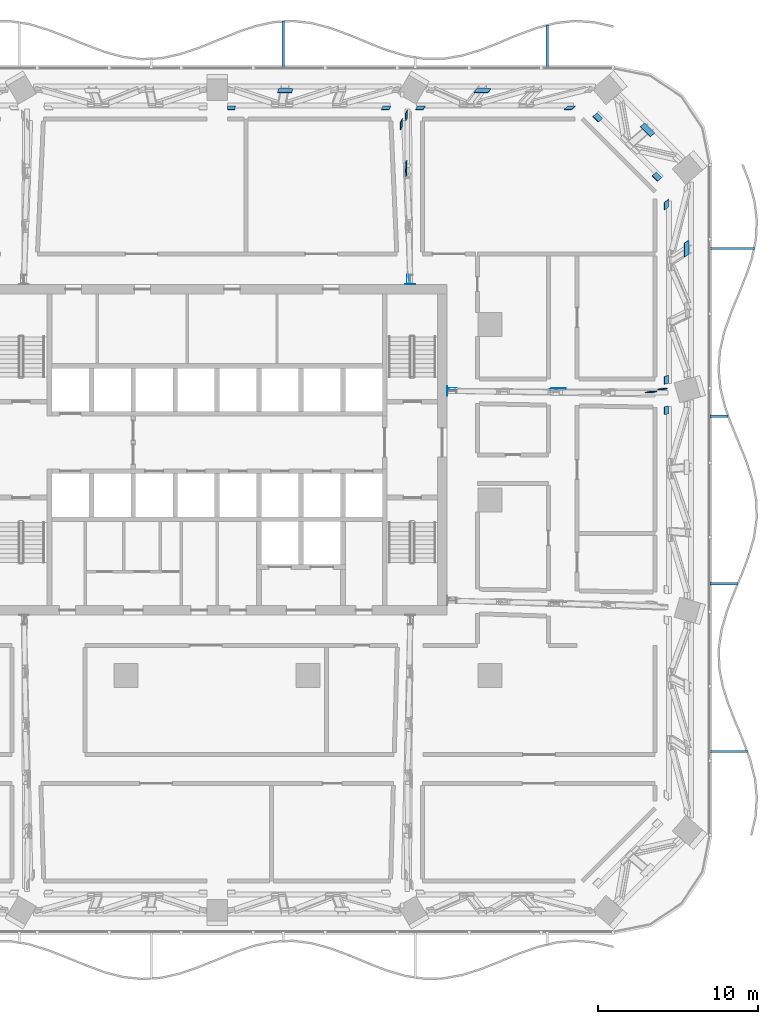
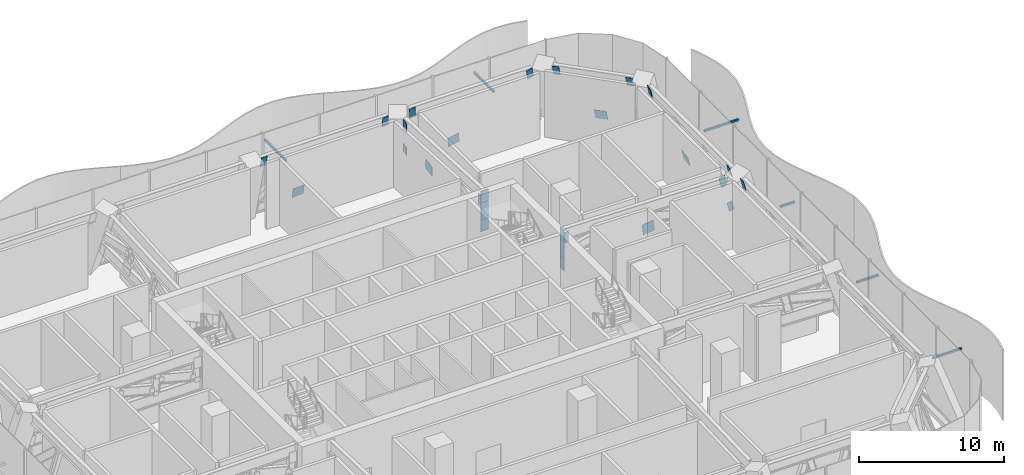
# One storey, part 18 of 32: 33 discrete accessories.
"""IFC4 building model written with IfcOpenShell, lengths in metres."""

from ifc_helpers import new_model, si_unit, direction, frame, origin, origin_2d, place, context, subcontext, project, spatial, rectangle, extrude, material, layer, layer_set, type_object, element, save


model = new_model("IFC4")

# Units and contexts
model_context = context("Model", 3, precision=1e-05, world=origin(), true_north=direction((0.0, 1.0)))
body_context = subcontext(model_context, "Body", "Model", "MODEL_VIEW")
ifc_project = project(units=[si_unit("LENGTHUNIT", "METRE"), si_unit("AREAUNIT", "SQUARE_METRE"), si_unit("VOLUMEUNIT", "CUBIC_METRE"), si_unit("PLANEANGLEUNIT", "RADIAN"), si_unit("MASSUNIT", "GRAM", prefix="KILO")], contexts=[model_context])

# Site, building, storey
site_placement = place(None, origin())
site = spatial("IfcSite", under=ifc_project, at=site_placement, CompositionType="ELEMENT")
building_placement = place(site_placement, origin())
building = spatial("IfcBuilding", under=site, at=building_placement, Name="Mopane Tessera Tower", CompositionType="ELEMENT")
storey_placement = place(building_placement, frame((0.0, 0.0, 88.60009765625)))
storey = spatial("IfcBuildingStorey", under=building, at=storey_placement, Name="L17", CompositionType="ELEMENT", Elevation=88.60009765625)

# Discrete accessories
ifc_material_1 = material(Name="Structural steel S460", Category="steel")
ifc_layer_1 = layer(ifc_material_1, 0.014892578125)
ifc_layer_set_1 = layer_set([ifc_layer_1], Name="Structural steel S460")
discrete_accessory_type_1 = type_object("IfcDiscreteAccessoryType", Name="Cast-in anchor plate 15 mm", PredefinedType="ANCHORPLATE", material=ifc_layer_set_1)
discrete_accessory_1_placement = place(storey_placement, frame((14.407470703125, 6.824951171875, 2.099853515625), z_axis=(0.0, 0.0, 1.0), x_axis=(1.0, 0.0, 0.0)))
element("IfcDiscreteAccessory", 1, at=discrete_accessory_1_placement, inside=storey, type_object=discrete_accessory_type_1, Name="Cast-in anchor plate s ot L17 E2 b", PredefinedType="ANCHORPLATE", context=body_context, shape_type="SweptSolid", body=[
    extrude(rectangle(XDim=0.014892578125, YDim=0.60205078125, at=origin_2d()), origin(), (0.0, 0.0, 1.0), 1.008056640625),
])
discrete_accessory_2_placement = place(storey_placement, frame((14.407470703125, 6.82470703125, 4.5419921875), z_axis=(0.0, 0.0, 1.0), x_axis=(1.0, 0.0, 0.0)))
element("IfcDiscreteAccessory", 2, at=discrete_accessory_2_placement, inside=storey, type_object=discrete_accessory_type_1, Name="Cast-in anchor plate s ot L17 E2 t", PredefinedType="ANCHORPLATE", context=body_context, shape_type="SweptSolid", body=[
    extrude(rectangle(XDim=0.014892578125, YDim=0.60205078125, at=origin_2d()), origin(), (0.0, 0.0, 1.0), 1.0078125),
])
discrete_accessory_3_placement = place(storey_placement, frame((14.407470703125, 6.824951171875, 3.10791015625), z_axis=(0.0, 0.0, 1.0), x_axis=(1.0, 0.0, 0.0)))
element("IfcDiscreteAccessory", 3, at=discrete_accessory_3_placement, inside=storey, type_object=discrete_accessory_type_1, Name="Cast-in anchor plate s ot L17 E2 p", PredefinedType="ANCHORPLATE", context=body_context, shape_type="SweptSolid", body=[
    extrude(rectangle(XDim=0.014892578125, YDim=0.60205078125, at=origin_2d()), origin(), (0.0, 0.0, 1.0), 1.43408203125),
])
discrete_accessory_4_placement = place(storey_placement, frame((12.093505859375, 13.507568359375, 2.099853515625), z_axis=(0.0, 0.0, 1.0), x_axis=(0.0, 1.0, 0.0)))
element("IfcDiscreteAccessory", 4, at=discrete_accessory_4_placement, inside=storey, type_object=discrete_accessory_type_1, Name="Cast-in anchor plate s ot L17 N1 b", PredefinedType="ANCHORPLATE", context=body_context, shape_type="SweptSolid", body=[
    extrude(rectangle(XDim=0.014892578125, YDim=0.60205078125, at=origin_2d()), origin(), (0.0, 0.0, 1.0), 1.008056640625),
])
discrete_accessory_5_placement = place(storey_placement, frame((12.093017578125, 13.507568359375, 4.5419921875), z_axis=(0.0, 0.0, 1.0), x_axis=(0.0, 1.0, 0.0)))
element("IfcDiscreteAccessory", 5, at=discrete_accessory_5_placement, inside=storey, type_object=discrete_accessory_type_1, Name="Cast-in anchor plate s ot L17 N1 t", PredefinedType="ANCHORPLATE", context=body_context, shape_type="SweptSolid", body=[
    extrude(rectangle(XDim=0.014892578125, YDim=0.60205078125, at=origin_2d()), origin(), (0.0, 0.0, 1.0), 1.0078125),
])
discrete_accessory_6_placement = place(storey_placement, frame((12.09326171875, 13.507568359375, 3.10791015625), z_axis=(0.0, 0.0, 1.0), x_axis=(0.0, 1.0, 0.0)))
element("IfcDiscreteAccessory", 6, at=discrete_accessory_6_placement, inside=storey, type_object=discrete_accessory_type_1, Name="Cast-in anchor plate s ot L17 N1 p", PredefinedType="ANCHORPLATE", context=body_context, shape_type="SweptSolid", body=[
    extrude(rectangle(XDim=0.014892578125, YDim=0.60205078125, at=origin_2d()), origin(), (0.0, 0.0, 1.0), 1.43408203125),
])
ifc_material_2 = material(Name="Stainless steel S316", Category="steel")
discrete_accessory_type_2 = type_object("IfcDiscreteAccessoryType", Name="Louvre bracket 150 x 150", PredefinedType="BRACKET", material=ifc_material_2)
discrete_accessory_7_placement = place(storey_placement, frame((32.030029296875, -15.75, 2.489990234375), z_axis=(0.0, 0.0, 1.0), x_axis=(1.0, 0.0, 0.0)))
element("IfcDiscreteAccessory", 7, at=discrete_accessory_7_placement, inside=storey, type_object=discrete_accessory_type_2, Name="e:lv:L17:E:0:br0", PredefinedType="BRACKET", context=body_context, shape_type="SweptSolid", body=[
    extrude(rectangle(XDim=2.340087890625, YDim=0.14990234375, at=origin_2d()), origin(), (0.0, 0.0, 1.0), 0.14990234375),
])
discrete_accessory_8_placement = place(storey_placement, frame((31.72998046875, -5.25, 2.489990234375), z_axis=(0.0, 0.0, 1.0), x_axis=(1.0, 0.0, 0.0)))
element("IfcDiscreteAccessory", 8, at=discrete_accessory_8_placement, inside=storey, type_object=discrete_accessory_type_2, Name="e:lv:L17:E:0:br1", PredefinedType="BRACKET", context=body_context, shape_type="SweptSolid", body=[
    extrude(rectangle(XDim=1.739990234375, YDim=0.14990234375, at=origin_2d()), origin(), (0.0, 0.0, 1.0), 0.14990234375),
])
discrete_accessory_9_placement = place(storey_placement, frame((31.429931640625, 5.25, 2.489990234375), z_axis=(0.0, 0.0, 1.0), x_axis=(1.0, 0.0, 0.0)))
element("IfcDiscreteAccessory", 9, at=discrete_accessory_9_placement, inside=storey, type_object=discrete_accessory_type_2, Name="e:lv:L17:E:1:br0", PredefinedType="BRACKET", context=body_context, shape_type="SweptSolid", body=[
    extrude(rectangle(XDim=1.139892578125, YDim=0.14990234375, at=origin_2d()), origin(), (0.0, 0.0, 1.0), 0.14990234375),
])
discrete_accessory_10_placement = place(storey_placement, frame((32.24951171875, 15.75, 2.489990234375), z_axis=(0.0, 0.0, 1.0), x_axis=(1.0, 0.0, 0.0)))
element("IfcDiscreteAccessory", 10, at=discrete_accessory_10_placement, inside=storey, type_object=discrete_accessory_type_2, Name="e:lv:L17:E:1:br1", PredefinedType="BRACKET", context=body_context, shape_type="SweptSolid", body=[
    extrude(rectangle(XDim=2.779296875, YDim=0.14990234375, at=origin_2d()), origin(), (0.0, 0.0, 1.0), 0.14990234375),
])
discrete_accessory_11_placement = place(storey_placement, frame((20.666748046875, 28.405029296875, 2.489990234375), z_axis=(0.0, 0.0, 1.0), x_axis=(0.0, 1.0, 0.0)))
element("IfcDiscreteAccessory", 11, at=discrete_accessory_11_placement, inside=storey, type_object=discrete_accessory_type_2, Name="e:lv:L17:N:0:br0", PredefinedType="BRACKET", context=body_context, shape_type="SweptSolid", body=[
    extrude(rectangle(XDim=2.68994140625, YDim=0.14990234375, at=origin_2d()), origin(), (0.0, 0.0, 1.0), 0.14990234375),
])
discrete_accessory_12_placement = place(storey_placement, frame((4.13330078125, 28.523681640625, 2.489990234375), z_axis=(0.0, 0.0, 1.0), x_axis=(0.0, 1.0, 0.0)))
element("IfcDiscreteAccessory", 12, at=discrete_accessory_12_placement, inside=storey, type_object=discrete_accessory_type_2, Name="e:lv:L17:N:1:br0", PredefinedType="BRACKET", context=body_context, shape_type="SweptSolid", body=[
    extrude(rectangle(XDim=2.92724609375, YDim=0.14990234375, at=origin_2d()), origin(), (0.0, 0.0, 1.0), 0.14990234375),
])
ifc_material_3 = material(Name="Structural steel S460", Category="steel")
ifc_layer_2 = layer(ifc_material_3, 0.030029296875)
ifc_layer_set_2 = layer_set([ifc_layer_2], Name="Structural steel S460")
discrete_accessory_type_3 = type_object("IfcDiscreteAccessoryType", Name="Truss node plate 30 mm", PredefinedType="BRACKET", material=ifc_layer_set_2)
discrete_accessory_13_placement = place(storey_placement, frame((14.706787109375, 6.9873046875, 4.091796875), z_axis=(-0.006238004352, -0.001627305483, 0.999979219373), x_axis=(0.025971806295, 0.999661075295, 0.001788803362)))
element("IfcDiscreteAccessory", 13, at=discrete_accessory_13_placement, inside=storey, type_object=discrete_accessory_type_3, Name="Truss node plate s ot L17 E2 1", PredefinedType="BRACKET", context=body_context, shape_type="SweptSolid", body=[
    extrude(rectangle(XDim=0.030029296875, YDim=0.590087890625, at=origin_2d()), origin(), (0.0, 0.0, 1.0), 0.900146484375),
])
discrete_accessory_14_placement = place(storey_placement, frame((21.39111328125, 6.96875, 2.657958984375), z_axis=(-0.138002610559, -0.039467672669, 0.989645179998), x_axis=(-0.002885348762, 0.999217495531, 0.039447070694)))
element("IfcDiscreteAccessory", 14, at=discrete_accessory_14_placement, inside=storey, type_object=discrete_accessory_type_3, Name="Truss node plate s ot L17 E2 8", PredefinedType="BRACKET", context=body_context, shape_type="SweptSolid", body=[
    extrude(rectangle(XDim=0.030029296875, YDim=0.89990234375, at=origin_2d()), origin(), (0.0, 0.0, 1.0), 0.909423828125),
])
discrete_accessory_15_placement = place(storey_placement, frame((27.29833984375, 6.80029296875, 4.595947265625), z_axis=(-0.257954036267, -0.073701153219, 0.963342023991), x_axis=(-0.016365375796, 0.997276482129, 0.071915176899)))
element("IfcDiscreteAccessory", 15, at=discrete_accessory_15_placement, inside=storey, type_object=discrete_accessory_type_3, Name="Truss node plate s ot L17 E2 15", PredefinedType="BRACKET", context=body_context, shape_type="SweptSolid", body=[
    extrude(rectangle(XDim=0.030029296875, YDim=0.489990234375, at=origin_2d()), origin(), (0.0, 0.0, 1.0), 0.93408203125),
])
discrete_accessory_16_placement = place(storey_placement, frame((27.98876953125, 6.98291015625, 2.2060546875), z_axis=(-0.25887088847, -0.073878678216, 0.963082449226), x_axis=(-0.016199098136, 0.997262494, 0.072146429436)))
element("IfcDiscreteAccessory", 16, at=discrete_accessory_16_placement, inside=storey, type_object=discrete_accessory_type_3, Name="Truss node plate s ot L17 E2 16", PredefinedType="BRACKET", context=body_context, shape_type="SweptSolid", body=[
    extrude(rectangle(XDim=0.030029296875, YDim=0.388916015625, at=origin_2d()), origin(), (0.0, 0.0, 1.0), 0.826171875),
])
discrete_accessory_17_placement = place(storey_placement, frame((11.919921875, 13.805419921875, 4.091796875), z_axis=(-0.003797010376, -0.006780375672, 0.999969804153), x_axis=(-0.999709850975, -0.023760365459, -0.003957132371)))
element("IfcDiscreteAccessory", 17, at=discrete_accessory_17_placement, inside=storey, type_object=discrete_accessory_type_3, Name="Truss node plate s ot L17 N1 1", PredefinedType="BRACKET", context=body_context, shape_type="SweptSolid", body=[
    extrude(rectangle(XDim=0.030029296875, YDim=0.590087890625, at=origin_2d()), origin(), (0.0, 0.0, 1.0), 0.900146484375),
])
discrete_accessory_18_placement = place(storey_placement, frame((11.87744140625, 20.815185546875, 2.657958984375), z_axis=(-0.08892692805, -0.152217264229, 0.984338308682), x_axis=(-0.996022980073, 0.008135122123, -0.088724534117)))
element("IfcDiscreteAccessory", 18, at=discrete_accessory_18_placement, inside=storey, type_object=discrete_accessory_type_3, Name="Truss node plate s ot L17 N1 8", PredefinedType="BRACKET", context=body_context, shape_type="SweptSolid", body=[
    extrude(rectangle(XDim=0.030029296875, YDim=0.89990234375, at=origin_2d()), origin(), (0.0, 0.0, 1.0), 0.914306640625),
])
discrete_accessory_19_placement = place(storey_placement, frame((11.91455078125, 24.167724609375, 2.2001953125), z_axis=(-0.125895823398, -0.216072366669, 0.968226716226), x_axis=(-0.992021933194, 0.020989456979, -0.124305779263)))
element("IfcDiscreteAccessory", 19, at=discrete_accessory_19_placement, inside=storey, type_object=discrete_accessory_type_3, Name="Truss node plate s ot L17 N1 11", PredefinedType="BRACKET", context=body_context, shape_type="SweptSolid", body=[
    extrude(rectangle(XDim=0.030029296875, YDim=0.489990234375, at=origin_2d()), origin(), (0.0, 0.0, 1.0), 0.833984375),
])
discrete_accessory_20_placement = place(storey_placement, frame((11.602783203125, 23.633056640625, 4.595947265625), z_axis=(-0.126078850287, -0.216172695387, 0.968180504493), x_axis=(-0.992001241194, 0.021435961029, -0.124394682541)))
element("IfcDiscreteAccessory", 20, at=discrete_accessory_20_placement, inside=storey, type_object=discrete_accessory_type_3, Name="Truss node plate s ot L17 N1 12", PredefinedType="BRACKET", context=body_context, shape_type="SweptSolid", body=[
    extrude(rectangle(XDim=0.030029296875, YDim=0.489990234375, at=origin_2d()), origin(), (0.0, 0.0, 1.0), 0.929443359375),
])
discrete_accessory_21_placement = place(storey_placement, frame((28.2646484375, 5.64892578125, 4.69287109375), z_axis=(-0.27925598399, -0.0683203012, 0.957783081835), x_axis=(-0.960216603868, 0.019442196798, -0.278578668674)))
element("IfcDiscreteAccessory", 21, at=discrete_accessory_21_placement, inside=storey, type_object=discrete_accessory_type_3, Name="Truss node plate s bt L17 E1-E2 11", PredefinedType="BRACKET", context=body_context, shape_type="SweptSolid", body=[
    extrude(rectangle(XDim=0.030029296875, YDim=0.489990234375, at=origin_2d()), origin(), (0.0, 0.0, 1.0), 0.93994140625),
])
discrete_accessory_22_placement = place(storey_placement, frame((28.2646484375, 7.569091796875, 4.69287109375), z_axis=(-0.278741674424, -0.091271692462, 0.956019119628), x_axis=(-0.960366097739, 0.026291107482, -0.277499073837)))
element("IfcDiscreteAccessory", 22, at=discrete_accessory_22_placement, inside=storey, type_object=discrete_accessory_type_3, Name="Truss node plate s bt L17 E2-E3 2", PredefinedType="BRACKET", context=body_context, shape_type="SweptSolid", body=[
    extrude(rectangle(XDim=0.030029296875, YDim=0.489990234375, at=origin_2d()), origin(), (0.0, 0.0, 1.0), 0.941650390625),
])
discrete_accessory_23_placement = place(storey_placement, frame((29.52734375, 15.820068359375, 0.364013671875), z_axis=(-0.275465180678, -0.178860182431, 0.944525261375), x_axis=(-0.961310891541, 0.050689082946, -0.270761863405)))
element("IfcDiscreteAccessory", 23, at=discrete_accessory_23_placement, inside=storey, type_object=discrete_accessory_type_3, Name="Truss node plate s bt L17 E2-E3 8", PredefinedType="BRACKET", context=body_context, shape_type="SweptSolid", body=[
    extrude(rectangle(XDim=0.030029296875, YDim=0.89990234375, at=origin_2d()), origin(), (0.0, 0.0, 1.0), 0.95263671875),
])
discrete_accessory_24_placement = place(storey_placement, frame((28.2646484375, 18.5986328125, 4.69287109375), z_axis=(-0.273084719134, -0.219483904495, 0.936617078556), x_axis=(-0.961989961414, 0.062532969731, -0.265828782933)))
element("IfcDiscreteAccessory", 24, at=discrete_accessory_24_placement, inside=storey, type_object=discrete_accessory_type_3, Name="Truss node plate s bt L17 E2-E3 11", PredefinedType="BRACKET", context=body_context, shape_type="SweptSolid", body=[
    extrude(rectangle(XDim=0.030029296875, YDim=0.489990234375, at=origin_2d()), origin(), (0.0, 0.0, 1.0), 0.961181640625),
])
discrete_accessory_25_placement = place(storey_placement, frame((27.66796875, 20.354736328125, 4.69287109375), z_axis=(-0.272410920996, -0.233422740854, 0.933437793414), x_axis=(-0.652980594752, -0.667675400185, -0.357527485469)))
element("IfcDiscreteAccessory", 25, at=discrete_accessory_25_placement, inside=storey, type_object=discrete_accessory_type_3, Name="Truss node plate s bt L17 E3-N0 2", PredefinedType="BRACKET", context=body_context, shape_type="SweptSolid", body=[
    extrude(rectangle(XDim=0.030029296875, YDim=0.489990234375, at=origin_2d()), origin(), (0.0, 0.0, 1.0), 0.96435546875),
])
discrete_accessory_26_placement = place(storey_placement, frame((27.076171875, 23.291259765625, 0.364013671875), z_axis=(-0.272240857205, -0.233494018924, 0.933469581077), x_axis=(-0.652697815177, -0.66799596074, -0.357445042626)))
element("IfcDiscreteAccessory", 26, at=discrete_accessory_26_placement, inside=storey, type_object=discrete_accessory_type_3, Name="Truss node plate s bt L17 E3-N0 4", PredefinedType="BRACKET", context=body_context, shape_type="SweptSolid", body=[
    extrude(rectangle(XDim=0.030029296875, YDim=0.89990234375, at=origin_2d()), origin(), (0.0, 0.0, 1.0), 0.964111328125),
])
discrete_accessory_27_placement = place(storey_placement, frame((23.959228515625, 24.0634765625, 4.69287109375), z_axis=(-0.272176513919, -0.233438833334, 0.93350214588), x_axis=(-0.652722450227, -0.668017089592, -0.357360561594)))
element("IfcDiscreteAccessory", 27, at=discrete_accessory_27_placement, inside=storey, type_object=discrete_accessory_type_3, Name="Truss node plate s bt L17 E3-N0 8", PredefinedType="BRACKET", context=body_context, shape_type="SweptSolid", body=[
    extrude(rectangle(XDim=0.030029296875, YDim=0.489990234375, at=origin_2d()), origin(), (0.0, 0.0, 1.0), 0.96435546875),
])
discrete_accessory_28_placement = place(storey_placement, frame((22.19580078125, 24.66015625, 4.69287109375), z_axis=(-0.258751493539, -0.23409639052, 0.937148091038), x_axis=(0.062275867756, -0.972213391772, -0.225660889733)))
element("IfcDiscreteAccessory", 28, at=discrete_accessory_28_placement, inside=storey, type_object=discrete_accessory_type_3, Name="Truss node plate s bt L17 N0-N1 2", PredefinedType="BRACKET", context=body_context, shape_type="SweptSolid", body=[
    extrude(rectangle(XDim=0.030029296875, YDim=0.489990234375, at=origin_2d()), origin(), (0.0, 0.0, 1.0), 0.96044921875),
])
discrete_accessory_29_placement = place(storey_placement, frame((16.70556640625, 25.742431640625, 0.364013671875), z_axis=(-0.187940233226, -0.238092097388, 0.95288541908), x_axis=(0.046035295233, -0.971242581357, -0.233599228919)))
element("IfcDiscreteAccessory", 29, at=discrete_accessory_29_placement, inside=storey, type_object=discrete_accessory_type_3, Name="Truss node plate s bt L17 N0-N1 8", PredefinedType="BRACKET", context=body_context, shape_type="SweptSolid", body=[
    extrude(rectangle(XDim=0.030029296875, YDim=0.89990234375, at=origin_2d()), origin(), (0.0, 0.0, 1.0), 0.9443359375),
])
discrete_accessory_30_placement = place(storey_placement, frame((12.7978515625, 24.66015625, 4.69287109375), z_axis=(-0.152651582269, -0.239509552419, 0.958818371085), x_axis=(0.037595840939, -0.970894005861, -0.236540445014)))
element("IfcDiscreteAccessory", 30, at=discrete_accessory_30_placement, inside=storey, type_object=discrete_accessory_type_3, Name="Truss node plate s bt L17 N0-N1 11", PredefinedType="BRACKET", context=body_context, shape_type="SweptSolid", body=[
    extrude(rectangle(XDim=0.030029296875, YDim=0.489990234375, at=origin_2d()), origin(), (0.0, 0.0, 1.0), 0.938720703125),
])
discrete_accessory_31_placement = place(storey_placement, frame((10.633056640625, 24.66015625, 4.69287109375), z_axis=(-0.127365427573, -0.240376145072, 0.962287564473), x_axis=(0.031229233069, -0.970679770091, -0.238339083948)))
element("IfcDiscreteAccessory", 31, at=discrete_accessory_31_placement, inside=storey, type_object=discrete_accessory_type_3, Name="Truss node plate s bt L17 N1-N2 2", PredefinedType="BRACKET", context=body_context, shape_type="SweptSolid", body=[
    extrude(rectangle(XDim=0.030029296875, YDim=0.489990234375, at=origin_2d()), origin(), (0.0, 0.0, 1.0), 0.935302734375),
])
discrete_accessory_32_placement = place(storey_placement, frame((4.277587890625, 25.742431640625, 0.364013671875), z_axis=(-0.048897559929, -0.242121788681, 0.969012934939), x_axis=(0.012353403072, -0.970245854347, -0.24180648369)))
element("IfcDiscreteAccessory", 32, at=discrete_accessory_32_placement, inside=storey, type_object=discrete_accessory_type_3, Name="Truss node plate s bt L17 N1-N2 8", PredefinedType="BRACKET", context=body_context, shape_type="SweptSolid", body=[
    extrude(rectangle(XDim=0.030029296875, YDim=0.89990234375, at=origin_2d()), origin(), (0.0, 0.0, 1.0), 0.9287109375),
])
discrete_accessory_33_placement = place(storey_placement, frame((0.890380859375, 24.66015625, 4.69287109375), z_axis=(-0.010524927378, -0.242336452874, 0.970135181051), x_axis=(0.003565364544, -0.970191846033, -0.242311927208)))
element("IfcDiscreteAccessory", 33, at=discrete_accessory_33_placement, inside=storey, type_object=discrete_accessory_type_3, Name="Truss node plate s bt L17 N1-N2 11", PredefinedType="BRACKET", context=body_context, shape_type="SweptSolid", body=[
    extrude(rectangle(XDim=0.030029296875, YDim=0.489990234375, at=origin_2d()), origin(), (0.0, 0.0, 1.0), 0.927978515625),
])

save(model, "model.ifc")
